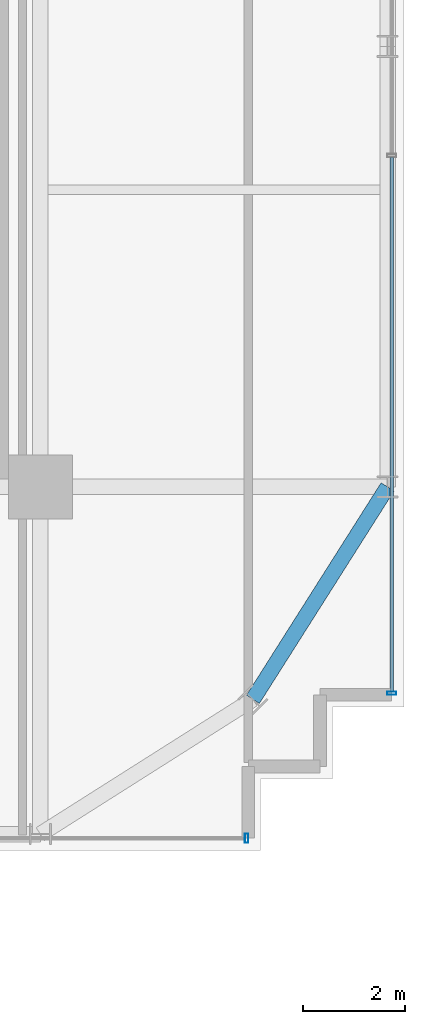
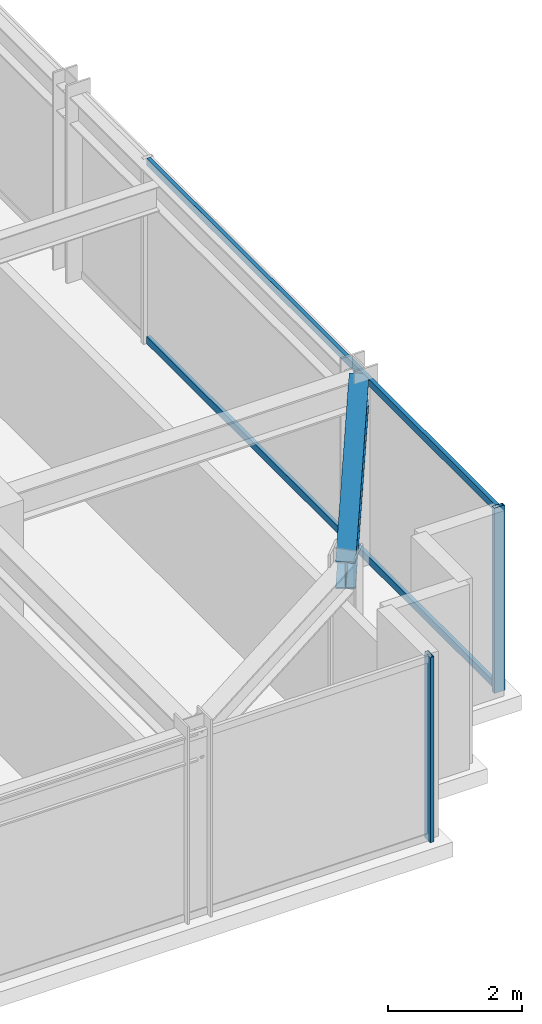
# One storey, part 13 of 32: 4 members, 1 beam, 2 elements without a shape of their own.
"""IFC4 building model written with IfcOpenShell, lengths in metres."""

from ifc_helpers import new_model, si_unit, direction, frame, origin, origin_2d, place, context, subcontext, project, spatial, hollow_rectangle, i_section, extrude, source, transform, mapped, material, material_profile, profile_set, type_object, element, aggregate, save


model = new_model("IFC4")

# Units and contexts
model_context = context("Model", 3, precision=1e-05, world=origin(), true_north=direction((0.0, 1.0)))
body_context = subcontext(model_context, "Body", "Model", "MODEL_VIEW")
ifc_project = project(units=[si_unit("LENGTHUNIT", "METRE"), si_unit("AREAUNIT", "SQUARE_METRE"), si_unit("VOLUMEUNIT", "CUBIC_METRE"), si_unit("PLANEANGLEUNIT", "RADIAN"), si_unit("MASSUNIT", "GRAM", prefix="KILO")], contexts=[model_context])

# Site, building, storey
site_placement = place(None, origin())
site = spatial("IfcSite", under=ifc_project, at=site_placement, CompositionType="ELEMENT")
building_placement = place(site_placement, origin())
building = spatial("IfcBuilding", under=site, at=building_placement, Name="Nahalor Promenade Grand Hotel", CompositionType="ELEMENT")
storey_placement = place(building_placement, frame((0.0, 0.0, 124.800048828125)))
storey = spatial("IfcBuildingStorey", under=building, at=storey_placement, Name="L31", CompositionType="ELEMENT", Elevation=124.800048828125)

# Beam
ifc_material_1 = material(Name="Steel S355JR", Category="steel")
ifc_material_profile_1 = material_profile(ifc_material_1, i_section(OverallWidth=0.3, OverallDepth=0.5, WebThickness=0.0145, FlangeThickness=0.028, at=origin_2d()), Name="HEB 500")
ifc_profile_set_1 = profile_set([ifc_material_profile_1], Name="Steel S355JR")
beam_type = type_object("IfcBeamType", Name="Beam-Spandrel-HEB500", PredefinedType="SPANDREL", material=ifc_profile_set_1)
shared_shape_1 = source(origin(), body_context, "Body", "SweptSolid", [
    extrude(i_section(OverallWidth=0.3, OverallDepth=0.5, WebThickness=0.0145, FlangeThickness=0.028, at=origin_2d()), origin(), (0.0, 0.0, 1.0), 4.9130859375),
])
beam_placement = place(storey_placement, frame((21.14990234375, -21.14990234375, 3.1298828125), z_axis=(0.535321591403, 0.844648325505, 0.0), x_axis=(-0.844648325505, 0.535321591403, 0.0)))
element("IfcBeam", 1, at=beam_placement, inside=storey, type_object=beam_type, Name="BM-L31-SPC-SE-2", PredefinedType="SPANDREL", context=body_context, shape_type="MappedRepresentation", body=[
    mapped(shared_shape_1, transform((0.0, 0.0, 0.0), scale=1.0)),
])

# Curtain wall, member
ifc_material_2 = material(Name="Anodised Bronze Aluminium EN AW-6063 T6", Category="aluminium")
curtain_wall_type = type_object("IfcCurtainWallType", Name="CW2 Typical Hotel Flush Bronze Unitised Curtain Wall", PredefinedType="USERDEFINED", material=ifc_material_2)
curtain_wall_1_placement = place(storey_placement, origin())
curtain_wall_1 = element("IfcCurtainWall", 2, at=curtain_wall_1_placement, inside=storey, type_object=curtain_wall_type, Name="L31 Curtain Wall CW-L31-S-3", ObjectType="UNITISED_CURTAIN_WALL", PredefinedType="USERDEFINED")
ifc_material_profile_2 = material_profile(ifc_material_2, hollow_rectangle(XDim=0.065, YDim=0.18, WallThickness=0.004, at=origin_2d()), Name="CWM 65x180x4")
ifc_profile_set_2 = profile_set([ifc_material_profile_2], Name="Anodised Bronze Aluminium EN AW-6063 T6")
member_type_1 = type_object("IfcMemberType", Name="CWM2 Typical Bronze Mullion 65x180", PredefinedType="MULLION", material=ifc_profile_set_2)
shared_shape_2 = source(origin(), body_context, "Body", "SweptSolid", [
    extrude(hollow_rectangle(XDim=0.065, YDim=0.18, WallThickness=0.004, at=origin_2d()), origin(), (0.0, 0.0, 1.0), 3.3798828125),
])
member_1_placement = place(storey_placement, frame((21.027587890625, -23.860107421875, 0.0), z_axis=(0.0, 0.0, 1.0), x_axis=(1.0, 0.0, 0.0)))
member_1 = element("IfcMember", 3, at=member_1_placement, type_object=member_type_1, Name="CW-L31-S-3 Mullion 3", PredefinedType="MULLION", context=body_context, shape_type="MappedRepresentation", body=[
    mapped(shared_shape_2, transform((0.0, 0.0, 0.0), scale=1.0)),
])
aggregate(curtain_wall_1, [member_1])

# Curtain wall, members
curtain_wall_2_placement = place(storey_placement, origin())
curtain_wall_2 = element("IfcCurtainWall", 4, at=curtain_wall_2_placement, inside=storey, type_object=curtain_wall_type, Name="L31 Curtain Wall CW-L31-E-1", ObjectType="UNITISED_CURTAIN_WALL", PredefinedType="USERDEFINED")
member_2_placement = place(storey_placement, frame((23.860107421875, -21.027587890625, 0.0), z_axis=(0.0, 0.0, 1.0), x_axis=(0.0, 1.0, 0.0)))
member_2 = element("IfcMember", 5, at=member_2_placement, type_object=member_type_1, Name="CW-L31-E-1 Mullion 0", PredefinedType="MULLION", context=body_context, shape_type="MappedRepresentation", body=[
    mapped(shared_shape_2, transform((0.0, 0.0, 0.0), scale=1.0)),
])
ifc_material_profile_3 = material_profile(ifc_material_2, hollow_rectangle(XDim=0.065, YDim=0.13, WallThickness=0.004, at=origin_2d()), Name="CWT 65x130x4")
ifc_profile_set_3 = profile_set([ifc_material_profile_3], Name="Anodised Bronze Aluminium EN AW-6063 T6")
member_type_2 = type_object("IfcMemberType", Name="CWT2 Typical Bronze Transom 65x130", PredefinedType="USERDEFINED", material=ifc_profile_set_3)
shared_shape_3 = source(origin(), body_context, "Body", "SweptSolid", [
    extrude(hollow_rectangle(XDim=0.065, YDim=0.13, WallThickness=0.004, at=origin_2d()), origin(), (0.0, 0.0, 1.0), 10.4326171875),
])
member_3_placement = place(storey_placement, frame((23.860107421875, -20.9951171875, 0.06494140625), z_axis=(0.0, 1.0, 0.0), x_axis=(-1.0, 0.0, 0.0)))
member_3 = element("IfcMember", 6, at=member_3_placement, type_object=member_type_2, Name="CW-L31-E-1 Transom 0-0", ObjectType="TRANSOM", PredefinedType="USERDEFINED", context=body_context, shape_type="MappedRepresentation", body=[
    mapped(shared_shape_3, transform((0.0, 0.0, 0.0), scale=1.0)),
])
member_4_placement = place(storey_placement, frame((23.860107421875, -20.9951171875, 3.31494140625), z_axis=(0.0, 1.0, 0.0), x_axis=(-1.0, 0.0, 0.0)))
member_4 = element("IfcMember", 7, at=member_4_placement, type_object=member_type_2, Name="CW-L31-E-1 Transom 0-1", ObjectType="TRANSOM", PredefinedType="USERDEFINED", context=body_context, shape_type="MappedRepresentation", body=[
    mapped(shared_shape_3, transform((0.0, 0.0, 0.0), scale=1.0)),
])
aggregate(curtain_wall_2, [member_2, member_3, member_4])

save(model, "model.ifc")
